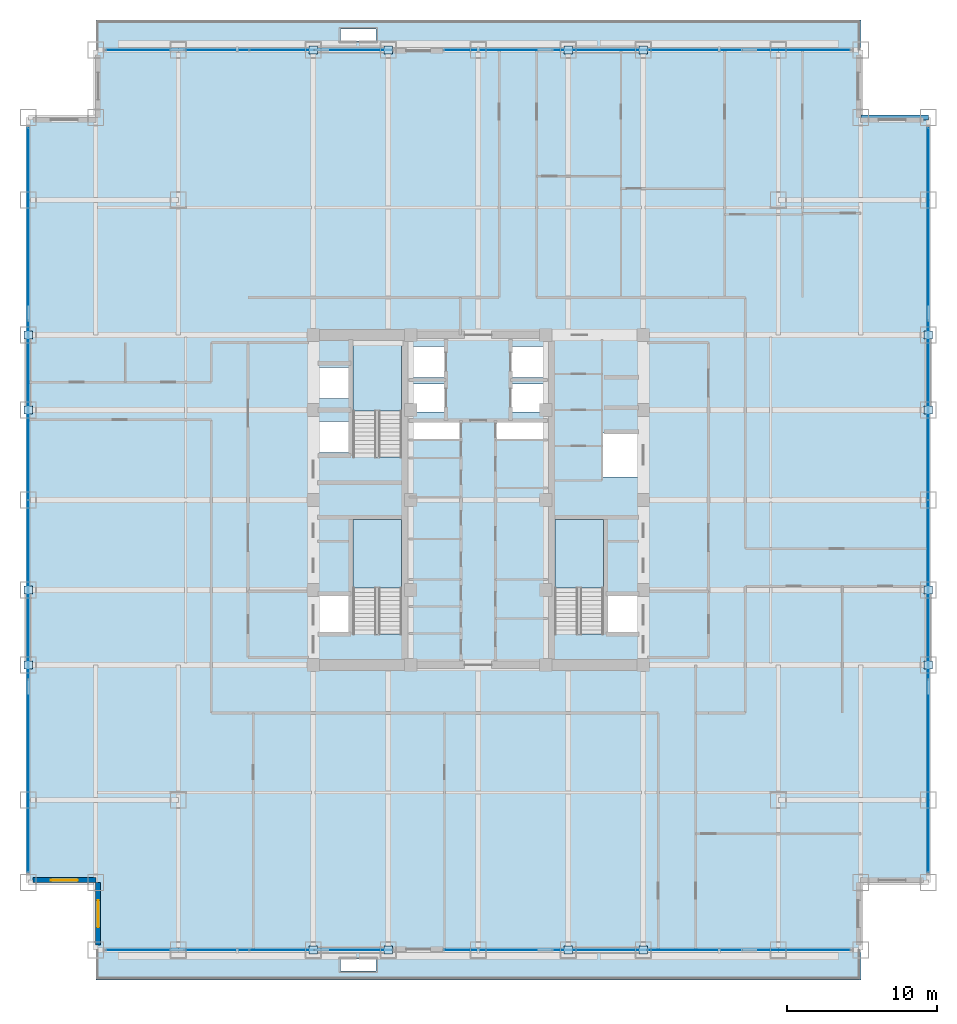
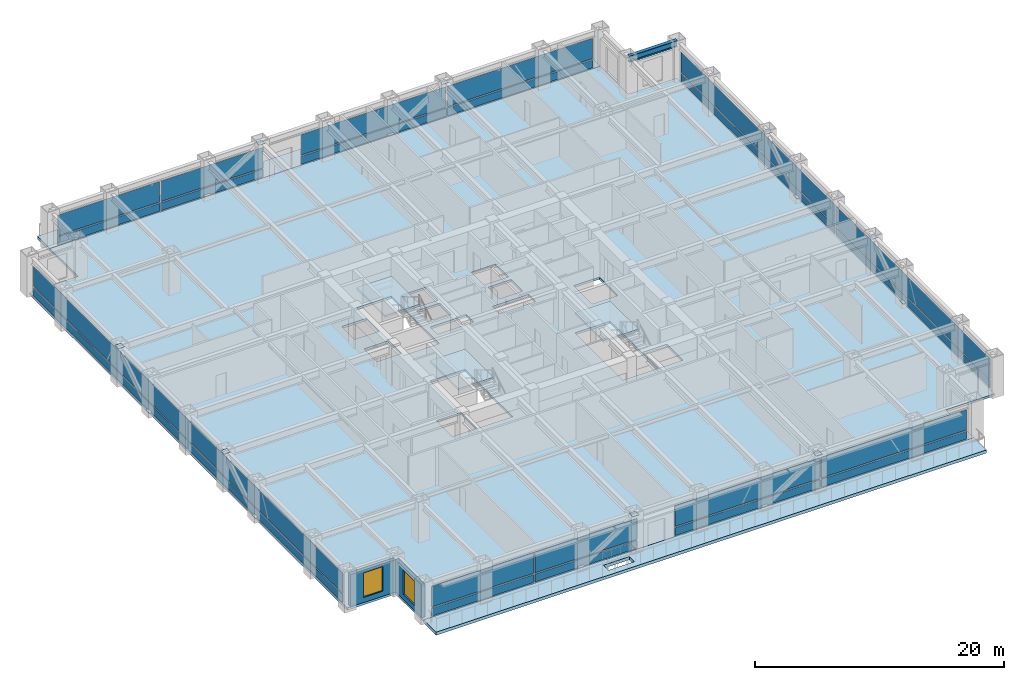
# One storey, part 25 of 35: 40 plates, 6 slabs, 2 walls, 2 windows, 1 beam, 2 openings, 9 elements without a shape of their own.
"""IFC4 building model written with IfcOpenShell, lengths in metres."""

from ifc_helpers import new_model, si_unit, direction, frame, frame_2d, origin, origin_2d, place, context, subcontext, project, spatial, polyline, rectangle, i_section, outline, extrude, source, transform, mapped, material, layer, layer_set, material_profile, profile_set, type_object, element, fill, aggregate, save


model = new_model("IFC4")

# Units and contexts
model_context = context("Model", 3, precision=1e-05, world=origin(), true_north=direction((0.0, 1.0)))
body_context = subcontext(model_context, "Body", "Model", "MODEL_VIEW")
ifc_project = project(units=[si_unit("LENGTHUNIT", "METRE"), si_unit("AREAUNIT", "SQUARE_METRE"), si_unit("VOLUMEUNIT", "CUBIC_METRE"), si_unit("PLANEANGLEUNIT", "RADIAN"), si_unit("MASSUNIT", "GRAM", prefix="KILO")], contexts=[model_context])

# Site, building, storey
site_placement = place(None, origin())
site = spatial("IfcSite", under=ifc_project, at=site_placement, CompositionType="ELEMENT")
building_placement = place(site_placement, origin())
building = spatial("IfcBuilding", under=site, at=building_placement, Name="Khorayat Bourse Tower", CompositionType="ELEMENT")
storey_placement = place(building_placement, frame((0.0, 0.0, 155.10009765625)))
storey = spatial("IfcBuildingStorey", under=building, at=storey_placement, Name="L35", CompositionType="ELEMENT", Elevation=155.10009765625)

# Beam
ifc_material_1 = material(Name="Steel ASTM A992 Grade 50", Category="steel")
ifc_material_profile = material_profile(ifc_material_1, i_section(OverallWidth=0.324951171875, OverallDepth=0.615966796875, WebThickness=0.013916015625, FlangeThickness=0.021484375, FilletRadius=0.01611328125, at=origin_2d()), Name="W610X174")
ifc_profile_set = profile_set([ifc_material_profile], Name="Steel ASTM A992 Grade 50")
beam_type = type_object("IfcBeamType", Name="BM-SPAN-610", PredefinedType="SPANDREL", material=ifc_profile_set)
shared_shape_1 = source(origin(), body_context, "Body", "SweptSolid", [
    extrude(i_section(OverallWidth=0.324951171875, OverallDepth=0.615966796875, WebThickness=0.013916015625, FlangeThickness=0.021484375, FilletRadius=0.01611328125, at=origin_2d()), origin(), (0.0, 0.0, 1.0), 4.5),
])
beam_placement = place(storey_placement, frame((25.5, 25.5, 3.471923828125), z_axis=(1.0, 0.0, 0.0), x_axis=(0.0, 1.0, 0.0)))
element("IfcBeam", 1, at=beam_placement, inside=storey, type_object=beam_type, Name="L35 BM-SPAN-610 BM-L35-SPN-042", PredefinedType="SPANDREL", context=body_context, shape_type="MappedRepresentation", body=[
    mapped(shared_shape_1, transform((0.0, 0.0, 0.0), scale=1.0)),
])

# Stair, slab
ifc_material_2 = material(Name="Concrete C40/50", Category="concrete")
stair_type = type_object("IfcStairType", Name="STR-CORE-1550", PredefinedType="HALF_TURN_STAIR", material=ifc_material_2)
stair_1_placement = place(storey_placement, origin())
stair_1 = element("IfcStair", 2, at=stair_1_placement, inside=storey, type_object=stair_type, Name="L35 Exit Stair ST-1", PredefinedType="HALF_TURN_STAIR")
ifc_layer_1 = layer(ifc_material_2, 0.199951171875)
ifc_layer_set_1 = layer_set([ifc_layer_1], Name="Concrete C40/50")
slab_type_1 = type_object("IfcSlabType", Name="SLB-LANDING-200", PredefinedType="LANDING", material=ifc_layer_set_1)
slab_1_placement = place(storey_placement, frame((0.0, 0.0, 1.7998046875)))
slab_1 = element("IfcSlab", 3, at=slab_1_placement, type_object=slab_type_1, Name="ST-1 landing 1", PredefinedType="LANDING", context=body_context, shape_type="SweptSolid", body=[
    extrude(outline(polyline([(-5.10009765625, -5.8701171875), (-5.10009765625, -1.300048828125), (-8.35009765625, -1.300048828125), (-8.35009765625, -5.8701171875), (-5.10009765625, -5.8701171875)])), origin(), (0.0, 0.0, 1.0), 0.2001953125),
])
aggregate(stair_1, [slab_1])

stair_2_placement = place(storey_placement, origin())
stair_2 = element("IfcStair", 4, at=stair_2_placement, inside=storey, type_object=stair_type, Name="L35 Exit Stair ST-2", PredefinedType="HALF_TURN_STAIR")
slab_2_placement = place(storey_placement, frame((0.0, 0.0, 1.7998046875)))
slab_2 = element("IfcSlab", 5, at=slab_2_placement, type_object=slab_type_1, Name="ST-2 landing 1", PredefinedType="LANDING", context=body_context, shape_type="SweptSolid", body=[
    extrude(outline(polyline([(-5.10009765625, 5.929931640625), (-5.10009765625, 10.5), (-8.35009765625, 10.5), (-8.35009765625, 5.929931640625), (-5.10009765625, 5.929931640625)])), origin(), (0.0, 0.0, 1.0), 0.2001953125),
])
aggregate(stair_2, [slab_2])

stair_3_placement = place(storey_placement, origin())
stair_3 = element("IfcStair", 6, at=stair_3_placement, inside=storey, type_object=stair_type, Name="L35 Exit Stair ST-3", PredefinedType="HALF_TURN_STAIR")
slab_3_placement = place(storey_placement, frame((0.0, 0.0, 1.7998046875)))
slab_3 = element("IfcSlab", 7, at=slab_3_placement, type_object=slab_type_1, Name="ST-3 landing 1", PredefinedType="LANDING", context=body_context, shape_type="SweptSolid", body=[
    extrude(outline(polyline([(8.35009765625, -5.8701171875), (8.35009765625, -1.300048828125), (5.10009765625, -1.300048828125), (5.10009765625, -5.8701171875), (8.35009765625, -5.8701171875)])), origin(), (0.0, 0.0, 1.0), 0.2001953125),
])
aggregate(stair_3, [slab_3])

# Slabs
ifc_layer_2 = layer(ifc_material_2, 0.219970703125)
ifc_layer_set_2 = layer_set([ifc_layer_2], Name="Concrete C40/50")
slab_type_2 = type_object("IfcSlabType", Name="SLB-OFFICE-220", PredefinedType="FLOOR", material=ifc_layer_set_2)
slab_4_placement = place(storey_placement, frame((0.0, 0.0, -0.22021484375)))
element("IfcSlab", 8, at=slab_4_placement, inside=storey, type_object=slab_type_2, Name="L35 Main Floor Slab", PredefinedType="FLOOR", context=body_context, shape_type="SweptSolid", body=[
    extrude(outline(polyline([(-25.5, -30.0), (25.5, -30.0), (25.5, -25.5), (30.0, -25.5), (30.0, 25.5), (25.5, 25.5), (25.5, 30.0), (-25.5, 30.0), (-25.5, 25.5), (-30.0, 25.5), (-30.0, -25.5), (-25.5, -25.5), (-25.5, -30.0)]), holes=[polyline([(-8.35009765625, -8.945068359375), (-5.10009765625, -8.945068359375), (-5.10009765625, -1.300048828125), (-8.35009765625, -1.300048828125), (-8.35009765625, -8.945068359375)]), polyline([(-8.35009765625, 2.85498046875), (-5.10009765625, 2.85498046875), (-5.10009765625, 10.5), (-8.35009765625, 10.5), (-8.35009765625, 2.85498046875)]), polyline([(5.10009765625, -8.945068359375), (8.35009765625, -8.945068359375), (8.35009765625, -1.300048828125), (5.10009765625, -1.300048828125), (5.10009765625, -8.945068359375)]), polyline([(-4.3798828125, 8.169921875), (-2.1201171875, 8.169921875), (-2.1201171875, 10.22998046875), (-4.3798828125, 10.22998046875), (-4.3798828125, 8.169921875)]), polyline([(2.1201171875, 8.169921875), (4.3798828125, 8.169921875), (4.3798828125, 10.22998046875), (2.1201171875, 10.22998046875), (2.1201171875, 8.169921875)]), polyline([(-4.3798828125, 5.8701171875), (-2.219970703125, 5.8701171875), (-2.219970703125, 7.72998046875), (-4.3798828125, 7.72998046875), (-4.3798828125, 5.8701171875)]), polyline([(2.219970703125, 5.8701171875), (4.3798828125, 5.8701171875), (4.3798828125, 7.72998046875), (2.219970703125, 7.72998046875), (2.219970703125, 5.8701171875)]), polyline([(-10.679931640625, 3.169921875), (-8.419921875, 3.169921875), (-8.419921875, 5.22998046875), (-10.679931640625, 5.22998046875), (-10.679931640625, 3.169921875)]), polyline([(-10.679931640625, 6.77001953125), (-8.419921875, 6.77001953125), (-8.419921875, 8.830078125), (-10.679931640625, 8.830078125), (-10.679931640625, 6.77001953125)]), polyline([(-10.679931640625, -8.929931640625), (-8.419921875, -8.929931640625), (-8.419921875, -6.3701171875), (-10.679931640625, -6.3701171875), (-10.679931640625, -8.929931640625)]), polyline([(8.419921875, -8.929931640625), (10.679931640625, -8.929931640625), (10.679931640625, -6.3701171875), (8.419921875, -6.3701171875), (8.419921875, -8.929931640625)]), polyline([(8.320068359375, 1.52001953125), (10.679931640625, 1.52001953125), (10.679931640625, 4.47998046875), (8.320068359375, 4.47998046875), (8.320068359375, 1.52001953125)]), polyline([(-4.56005859375, 4.080078125), (-1.18994140625, 4.080078125), (-1.18994140625, 5.219970703125), (-4.56005859375, 5.219970703125), (-4.56005859375, 4.080078125)]), polyline([(1.18994140625, 4.080078125), (4.56005859375, 4.080078125), (4.56005859375, 5.219970703125), (1.18994140625, 5.219970703125), (1.18994140625, 4.080078125)])]), origin(), (0.0, 0.0, 1.0), 0.22021484375),
])
ifc_layer_3 = layer(ifc_material_2, 0.300048828125)
ifc_layer_set_3 = layer_set([ifc_layer_3], Name="Concrete C40/50")
slab_type_3 = type_object("IfcSlabType", Name="SLB-TERR-300", PredefinedType="FLOOR", material=ifc_layer_set_3)
slab_5_placement = place(storey_placement, frame((0.0, 0.0, -0.300048828125)))
element("IfcSlab", 9, at=slab_5_placement, inside=storey, type_object=slab_type_3, Name="L35 Planted Garden Terrace Slab 01", PredefinedType="FLOOR", context=body_context, shape_type="SweptSolid", body=[
    extrude(outline(polyline([(-25.5, 30.0), (25.5, 30.0), (25.5, 32.0), (-25.5, 32.0), (-25.5, 30.0)]), holes=[polyline([(-9.199951171875, 30.60009765625), (-6.800048828125, 30.60009765625), (-6.800048828125, 31.39990234375), (-9.199951171875, 31.39990234375), (-9.199951171875, 30.60009765625)])]), origin(), (0.0, 0.0, 1.0), 0.300048828125),
])
slab_6_placement = place(storey_placement, frame((0.0, 0.0, -0.300048828125)))
element("IfcSlab", 10, at=slab_6_placement, inside=storey, type_object=slab_type_3, Name="L35 Planted Garden Terrace Slab 02", PredefinedType="FLOOR", context=body_context, shape_type="SweptSolid", body=[
    extrude(outline(polyline([(-25.5, -32.0), (25.5, -32.0), (25.5, -30.0), (-25.5, -30.0), (-25.5, -32.0)]), holes=[polyline([(-9.199951171875, -31.39990234375), (-6.800048828125, -31.39990234375), (-6.800048828125, -30.60009765625), (-9.199951171875, -30.60009765625), (-9.199951171875, -31.39990234375)])]), origin(), (0.0, 0.0, 1.0), 0.300048828125),
])

# Plates
ifc_material_3 = material(Name="Steel EN 10025-2 S355J2", Category="steel")
ifc_layer_4 = layer(ifc_material_3, 0.02490234375)
ifc_layer_set_4 = layer_set([ifc_layer_4], Name="Steel EN 10025-2 S355J2")
plate_type_1 = type_object("IfcPlateType", Name="PLT-ENDCAP-25", PredefinedType="SHEET", material=ifc_layer_set_4)
shared_shape_2 = source(origin(), body_context, "Body", "SweptSolid", [
    extrude(rectangle(XDim=0.56005859375, YDim=0.56005859375, at=origin_2d()), origin(), (0.0, 0.0, 1.0), 0.02490234375),
])
for number, where, z_axis, x_axis, name in (
    (11, (-11.0, -30.0, 0.237548828125), (0.0, 0.0, 1.0), (1.0, 0.0, 0.0), "L35 Perimeter Brace End Plate 001"),
    (12, (-6.0, -30.0, 3.517333984375), (0.0, 0.0, 1.0), (1.0, 0.0, 0.0), "L35 Perimeter Brace End Plate 002"),
    (13, (6.0, -30.0, 0.237548828125), (0.0, 0.0, 1.0), (1.0, 0.0, 0.0), "L35 Perimeter Brace End Plate 003"),
    (14, (11.0, -30.0, 3.517333984375), (0.0, 0.0, 1.0), (1.0, 0.0, 0.0), "L35 Perimeter Brace End Plate 004"),
    (15, (-11.0, 30.0, 0.237548828125), (0.0, 0.0, 1.0), (1.0, 0.0, 0.0), "L35 Perimeter Brace End Plate 005"),
    (16, (-6.0, 30.0, 3.517333984375), (0.0, 0.0, 1.0), (1.0, 0.0, 0.0), "L35 Perimeter Brace End Plate 006"),
    (17, (6.0, 30.0, 0.237548828125), (0.0, 0.0, 1.0), (1.0, 0.0, 0.0), "L35 Perimeter Brace End Plate 007"),
    (18, (11.0, 30.0, 3.517333984375), (0.0, 0.0, 1.0), (1.0, 0.0, 0.0), "L35 Perimeter Brace End Plate 008"),
    (19, (-30.0, -11.0, 0.237548828125), (0.0, 0.0, 1.0), (1.0, 0.0, 0.0), "L35 Perimeter Brace End Plate 009"),
    (20, (-30.0, -6.0, 3.517333984375), (0.0, 0.0, 1.0), (1.0, 0.0, 0.0), "L35 Perimeter Brace End Plate 010"),
    (21, (-30.0, 6.0, 0.237548828125), (0.0, 0.0, 1.0), (1.0, 0.0, 0.0), "L35 Perimeter Brace End Plate 011"),
    (22, (-30.0, 11.0, 3.517333984375), (0.0, 0.0, 1.0), (1.0, 0.0, 0.0), "L35 Perimeter Brace End Plate 012"),
    (23, (30.0, -11.0, 0.237548828125), (0.0, 0.0, 1.0), (1.0, 0.0, 0.0), "L35 Perimeter Brace End Plate 013"),
    (24, (30.0, -6.0, 3.517333984375), (0.0, 0.0, 1.0), (1.0, 0.0, 0.0), "L35 Perimeter Brace End Plate 014"),
    (25, (30.0, 6.0, 0.237548828125), (0.0, 0.0, 1.0), (1.0, 0.0, 0.0), "L35 Perimeter Brace End Plate 015"),
    (26, (30.0, 11.0, 3.517333984375), (0.0, 0.0, 1.0), (1.0, 0.0, 0.0), "L35 Perimeter Brace End Plate 016"),
):
    element("IfcPlate", number, at=place(storey_placement, frame(where, z_axis=z_axis, x_axis=x_axis)), inside=storey, type_object=plate_type_1, Name=name, PredefinedType="SHEET", context=body_context, shape_type="MappedRepresentation", body=[
        mapped(shared_shape_2, transform((0.0, 0.0, 0.0), scale=1.0)),
    ])

# Curtain wall, plates
ifc_material_4 = material(Name="Aluminium EN AW-6063 T6", Category="aluminium")
curtain_wall_type = type_object("IfcCurtainWallType", Name="CW-SYS-03", PredefinedType="NOTDEFINED", material=ifc_material_4)
curtain_wall_1_placement = place(storey_placement, origin())
curtain_wall_1 = element("IfcCurtainWall", 27, at=curtain_wall_1_placement, inside=storey, type_object=curtain_wall_type, Name="L35 Curtain Wall CW-L35-S1", PredefinedType="NOTDEFINED")
ifc_material_5 = material(Name="Honed desert limestone insulated spandrel", Category="masonry")
ifc_layer_5 = layer(ifc_material_5, 0.06494140625)
ifc_layer_set_5 = layer_set([ifc_layer_5], Name="Honed desert limestone insulated spandrel")
plate_type_2 = type_object("IfcPlateType", Name="CWP-SPAND-03", PredefinedType="CURTAIN_PANEL", material=ifc_layer_set_5)
shared_shape_3 = source(origin(), body_context, "Body", "SweptSolid", [
    extrude(rectangle(XDim=9.445068359375, YDim=0.06494140625, at=origin_2d()), origin(), (0.0, 0.0, 1.0), 0.77001953125),
])
plate_1_placement = place(storey_placement, frame((-20.0576171875, -30.0, 0.119873046875), z_axis=(0.0, 0.0, 1.0), x_axis=(1.0, 0.0, 0.0)))
plate_1 = element("IfcPlate", 28, at=plate_1_placement, type_object=plate_type_2, Name="CW-L35-S1 Spandrel Panel 1-1", PredefinedType="CURTAIN_PANEL", context=body_context, shape_type="MappedRepresentation", body=[
    mapped(shared_shape_3, transform((0.0, 0.0, 0.0), scale=1.0)),
])
plate_2_placement = place(storey_placement, frame((-10.492431640625, -30.0, 0.119873046875), z_axis=(0.0, 0.0, 1.0), x_axis=(1.0, 0.0, 0.0)))
plate_2 = element("IfcPlate", 29, at=plate_2_placement, type_object=plate_type_2, Name="CW-L35-S1 Spandrel Panel 2-1", PredefinedType="CURTAIN_PANEL", context=body_context, shape_type="MappedRepresentation", body=[
    mapped(shared_shape_3, transform((0.0, 0.0, 0.0), scale=1.0)),
])

curtain_wall_2_placement = place(storey_placement, origin())
curtain_wall_2 = element("IfcCurtainWall", 30, at=curtain_wall_2_placement, inside=storey, type_object=curtain_wall_type, Name="L35 Curtain Wall CW-L35-N1", PredefinedType="NOTDEFINED")
plate_3_placement = place(storey_placement, frame((-20.0576171875, 30.0, 0.119873046875), z_axis=(0.0, 0.0, 1.0), x_axis=(1.0, 0.0, 0.0)))
plate_3 = element("IfcPlate", 31, at=plate_3_placement, type_object=plate_type_2, Name="CW-L35-N1 Spandrel Panel 1-1", PredefinedType="CURTAIN_PANEL", context=body_context, shape_type="MappedRepresentation", body=[
    mapped(shared_shape_3, transform((0.0, 0.0, 0.0), scale=1.0)),
])
plate_4_placement = place(storey_placement, frame((-10.492431640625, 30.0, 0.119873046875), z_axis=(0.0, 0.0, 1.0), x_axis=(1.0, 0.0, 0.0)))
plate_4 = element("IfcPlate", 32, at=plate_4_placement, type_object=plate_type_2, Name="CW-L35-N1 Spandrel Panel 2-1", PredefinedType="CURTAIN_PANEL", context=body_context, shape_type="MappedRepresentation", body=[
    mapped(shared_shape_3, transform((0.0, 0.0, 0.0), scale=1.0)),
])

# Plate
ifc_material_6 = material(Name="Low-E solar-control laminated double glazing", Category="glass")
ifc_layer_6 = layer(ifc_material_6, 0.035888671875)
ifc_layer_set_6 = layer_set([ifc_layer_6], Name="Low-E solar-control laminated double glazing")
plate_type_3 = type_object("IfcPlateType", Name="CWP-VIS-01", PredefinedType="CURTAIN_PANEL", material=ifc_layer_set_6)
shared_shape_4 = source(origin(), body_context, "Body", "SweptSolid", [
    extrude(rectangle(XDim=9.445068359375, YDim=0.035888671875, at=origin_2d()), origin(), (0.0, 0.0, 1.0), 2.0),
])
plate_5_placement = place(storey_placement, frame((-20.0576171875, -30.0, 1.010009765625), z_axis=(0.0, 0.0, 1.0), x_axis=(1.0, 0.0, 0.0)))
plate_5 = element("IfcPlate", 33, at=plate_5_placement, type_object=plate_type_3, Name="CW-L35-S1 Vision Panel 1-2", PredefinedType="CURTAIN_PANEL", context=body_context, shape_type="MappedRepresentation", body=[
    mapped(shared_shape_4, transform((0.0, 0.0, 0.0), scale=1.0)),
])

plate_6_placement = place(storey_placement, frame((-10.492431640625, -30.0, 1.010009765625), z_axis=(0.0, 0.0, 1.0), x_axis=(1.0, 0.0, 0.0)))
plate_6 = element("IfcPlate", 34, at=plate_6_placement, type_object=plate_type_3, Name="CW-L35-S1 Vision Panel 2-2", PredefinedType="CURTAIN_PANEL", context=body_context, shape_type="MappedRepresentation", body=[
    mapped(shared_shape_4, transform((0.0, 0.0, 0.0), scale=1.0)),
])

aggregate(curtain_wall_1, [plate_1, plate_5, plate_2, plate_6])

plate_7_placement = place(storey_placement, frame((-20.0576171875, 30.0, 1.010009765625), z_axis=(0.0, 0.0, 1.0), x_axis=(1.0, 0.0, 0.0)))
plate_7 = element("IfcPlate", 35, at=plate_7_placement, type_object=plate_type_3, Name="CW-L35-N1 Vision Panel 1-2", PredefinedType="CURTAIN_PANEL", context=body_context, shape_type="MappedRepresentation", body=[
    mapped(shared_shape_4, transform((0.0, 0.0, 0.0), scale=1.0)),
])

plate_8_placement = place(storey_placement, frame((-10.492431640625, 30.0, 1.010009765625), z_axis=(0.0, 0.0, 1.0), x_axis=(1.0, 0.0, 0.0)))
plate_8 = element("IfcPlate", 36, at=plate_8_placement, type_object=plate_type_3, Name="CW-L35-N1 Vision Panel 2-2", PredefinedType="CURTAIN_PANEL", context=body_context, shape_type="MappedRepresentation", body=[
    mapped(shared_shape_4, transform((0.0, 0.0, 0.0), scale=1.0)),
])

aggregate(curtain_wall_2, [plate_3, plate_7, plate_4, plate_8])

# Curtain wall, plates
curtain_wall_3_placement = place(storey_placement, origin())
curtain_wall_3 = element("IfcCurtainWall", 37, at=curtain_wall_3_placement, inside=storey, type_object=curtain_wall_type, Name="L35 Curtain Wall CW-L35-S2", PredefinedType="NOTDEFINED")
shared_shape_5 = source(origin(), body_context, "Body", "SweptSolid", [
    extrude(rectangle(XDim=13.445068359375, YDim=0.06494140625, at=origin_2d()), origin(), (0.0, 0.0, 1.0), 0.77001953125),
])
plate_9_placement = place(storey_placement, frame((4.492431640625, -30.0, 0.119873046875), z_axis=(0.0, 0.0, 1.0), x_axis=(1.0, 0.0, 0.0)))
plate_9 = element("IfcPlate", 38, at=plate_9_placement, type_object=plate_type_2, Name="CW-L35-S2 Spandrel Panel 1-1", PredefinedType="CURTAIN_PANEL", context=body_context, shape_type="MappedRepresentation", body=[
    mapped(shared_shape_5, transform((0.0, 0.0, 0.0), scale=1.0)),
])
plate_10_placement = place(storey_placement, frame((18.0576171875, -30.0, 0.119873046875), z_axis=(0.0, 0.0, 1.0), x_axis=(1.0, 0.0, 0.0)))
plate_10 = element("IfcPlate", 39, at=plate_10_placement, type_object=plate_type_2, Name="CW-L35-S2 Spandrel Panel 2-1", PredefinedType="CURTAIN_PANEL", context=body_context, shape_type="MappedRepresentation", body=[
    mapped(shared_shape_5, transform((0.0, 0.0, 0.0), scale=1.0)),
])

curtain_wall_4_placement = place(storey_placement, origin())
curtain_wall_4 = element("IfcCurtainWall", 40, at=curtain_wall_4_placement, inside=storey, type_object=curtain_wall_type, Name="L35 Curtain Wall CW-L35-N2", PredefinedType="NOTDEFINED")
plate_11_placement = place(storey_placement, frame((4.492431640625, 30.0, 0.119873046875), z_axis=(0.0, 0.0, 1.0), x_axis=(1.0, 0.0, 0.0)))
plate_11 = element("IfcPlate", 41, at=plate_11_placement, type_object=plate_type_2, Name="CW-L35-N2 Spandrel Panel 1-1", PredefinedType="CURTAIN_PANEL", context=body_context, shape_type="MappedRepresentation", body=[
    mapped(shared_shape_5, transform((0.0, 0.0, 0.0), scale=1.0)),
])
plate_12_placement = place(storey_placement, frame((18.0576171875, 30.0, 0.119873046875), z_axis=(0.0, 0.0, 1.0), x_axis=(1.0, 0.0, 0.0)))
plate_12 = element("IfcPlate", 42, at=plate_12_placement, type_object=plate_type_2, Name="CW-L35-N2 Spandrel Panel 2-1", PredefinedType="CURTAIN_PANEL", context=body_context, shape_type="MappedRepresentation", body=[
    mapped(shared_shape_5, transform((0.0, 0.0, 0.0), scale=1.0)),
])

# Plate
shared_shape_6 = source(origin(), body_context, "Body", "SweptSolid", [
    extrude(rectangle(XDim=13.445068359375, YDim=0.035888671875, at=origin_2d()), origin(), (0.0, 0.0, 1.0), 2.0),
])
plate_13_placement = place(storey_placement, frame((4.492431640625, -30.0, 1.010009765625), z_axis=(0.0, 0.0, 1.0), x_axis=(1.0, 0.0, 0.0)))
plate_13 = element("IfcPlate", 43, at=plate_13_placement, type_object=plate_type_3, Name="CW-L35-S2 Vision Panel 1-2", PredefinedType="CURTAIN_PANEL", context=body_context, shape_type="MappedRepresentation", body=[
    mapped(shared_shape_6, transform((0.0, 0.0, 0.0), scale=1.0)),
])

plate_14_placement = place(storey_placement, frame((18.0576171875, -30.0, 1.010009765625), z_axis=(0.0, 0.0, 1.0), x_axis=(1.0, 0.0, 0.0)))
plate_14 = element("IfcPlate", 44, at=plate_14_placement, type_object=plate_type_3, Name="CW-L35-S2 Vision Panel 2-2", PredefinedType="CURTAIN_PANEL", context=body_context, shape_type="MappedRepresentation", body=[
    mapped(shared_shape_6, transform((0.0, 0.0, 0.0), scale=1.0)),
])

aggregate(curtain_wall_3, [plate_9, plate_13, plate_10, plate_14])

plate_15_placement = place(storey_placement, frame((4.492431640625, 30.0, 1.010009765625), z_axis=(0.0, 0.0, 1.0), x_axis=(1.0, 0.0, 0.0)))
plate_15 = element("IfcPlate", 45, at=plate_15_placement, type_object=plate_type_3, Name="CW-L35-N2 Vision Panel 1-2", PredefinedType="CURTAIN_PANEL", context=body_context, shape_type="MappedRepresentation", body=[
    mapped(shared_shape_6, transform((0.0, 0.0, 0.0), scale=1.0)),
])

plate_16_placement = place(storey_placement, frame((18.0576171875, 30.0, 1.010009765625), z_axis=(0.0, 0.0, 1.0), x_axis=(1.0, 0.0, 0.0)))
plate_16 = element("IfcPlate", 46, at=plate_16_placement, type_object=plate_type_3, Name="CW-L35-N2 Vision Panel 2-2", PredefinedType="CURTAIN_PANEL", context=body_context, shape_type="MappedRepresentation", body=[
    mapped(shared_shape_6, transform((0.0, 0.0, 0.0), scale=1.0)),
])

aggregate(curtain_wall_4, [plate_11, plate_15, plate_12, plate_16])

# Curtain wall, plates
curtain_wall_5_placement = place(storey_placement, origin())
curtain_wall_5 = element("IfcCurtainWall", 47, at=curtain_wall_5_placement, inside=storey, type_object=curtain_wall_type, Name="L35 Curtain Wall CW-L35-W1", PredefinedType="NOTDEFINED")
shared_shape_7 = source(origin(), body_context, "Body", "SweptSolid", [
    extrude(rectangle(XDim=24.719970703125, YDim=0.06494140625, at=origin_2d()), origin(), (0.0, 0.0, 1.0), 0.77001953125),
])
plate_17_placement = place(storey_placement, frame((-30.0, -12.419921875, 0.119873046875), z_axis=(0.0, 0.0, 1.0), x_axis=(0.0, 1.0, 0.0)))
plate_17 = element("IfcPlate", 48, at=plate_17_placement, type_object=plate_type_2, Name="CW-L35-W1 Spandrel Panel 1-1", PredefinedType="CURTAIN_PANEL", context=body_context, shape_type="MappedRepresentation", body=[
    mapped(shared_shape_7, transform((0.0, 0.0, 0.0), scale=1.0)),
])
plate_18_placement = place(storey_placement, frame((-30.0, 12.419921875, 0.119873046875), z_axis=(0.0, 0.0, 1.0), x_axis=(0.0, 1.0, 0.0)))
plate_18 = element("IfcPlate", 49, at=plate_18_placement, type_object=plate_type_2, Name="CW-L35-W1 Spandrel Panel 2-1", PredefinedType="CURTAIN_PANEL", context=body_context, shape_type="MappedRepresentation", body=[
    mapped(shared_shape_7, transform((0.0, 0.0, 0.0), scale=1.0)),
])

curtain_wall_6_placement = place(storey_placement, origin())
curtain_wall_6 = element("IfcCurtainWall", 50, at=curtain_wall_6_placement, inside=storey, type_object=curtain_wall_type, Name="L35 Curtain Wall CW-L35-E1", PredefinedType="NOTDEFINED")
plate_19_placement = place(storey_placement, frame((30.0, -12.419921875, 0.119873046875), z_axis=(0.0, 0.0, 1.0), x_axis=(0.0, 1.0, 0.0)))
plate_19 = element("IfcPlate", 51, at=plate_19_placement, type_object=plate_type_2, Name="CW-L35-E1 Spandrel Panel 1-1", PredefinedType="CURTAIN_PANEL", context=body_context, shape_type="MappedRepresentation", body=[
    mapped(shared_shape_7, transform((0.0, 0.0, 0.0), scale=1.0)),
])
plate_20_placement = place(storey_placement, frame((30.0, 12.419921875, 0.119873046875), z_axis=(0.0, 0.0, 1.0), x_axis=(0.0, 1.0, 0.0)))
plate_20 = element("IfcPlate", 52, at=plate_20_placement, type_object=plate_type_2, Name="CW-L35-E1 Spandrel Panel 2-1", PredefinedType="CURTAIN_PANEL", context=body_context, shape_type="MappedRepresentation", body=[
    mapped(shared_shape_7, transform((0.0, 0.0, 0.0), scale=1.0)),
])

# Plate
shared_shape_8 = source(origin(), body_context, "Body", "SweptSolid", [
    extrude(rectangle(XDim=24.719970703125, YDim=0.035888671875, at=origin_2d()), origin(), (0.0, 0.0, 1.0), 2.0),
])
plate_21_placement = place(storey_placement, frame((-30.0, -12.419921875, 1.010009765625), z_axis=(0.0, 0.0, 1.0), x_axis=(0.0, 1.0, 0.0)))
plate_21 = element("IfcPlate", 53, at=plate_21_placement, type_object=plate_type_3, Name="CW-L35-W1 Vision Panel 1-2", PredefinedType="CURTAIN_PANEL", context=body_context, shape_type="MappedRepresentation", body=[
    mapped(shared_shape_8, transform((0.0, 0.0, 0.0), scale=1.0)),
])

plate_22_placement = place(storey_placement, frame((-30.0, 12.419921875, 1.010009765625), z_axis=(0.0, 0.0, 1.0), x_axis=(0.0, 1.0, 0.0)))
plate_22 = element("IfcPlate", 54, at=plate_22_placement, type_object=plate_type_3, Name="CW-L35-W1 Vision Panel 2-2", PredefinedType="CURTAIN_PANEL", context=body_context, shape_type="MappedRepresentation", body=[
    mapped(shared_shape_8, transform((0.0, 0.0, 0.0), scale=1.0)),
])

aggregate(curtain_wall_5, [plate_17, plate_21, plate_18, plate_22])

plate_23_placement = place(storey_placement, frame((30.0, -12.419921875, 1.010009765625), z_axis=(0.0, 0.0, 1.0), x_axis=(0.0, 1.0, 0.0)))
plate_23 = element("IfcPlate", 55, at=plate_23_placement, type_object=plate_type_3, Name="CW-L35-E1 Vision Panel 1-2", PredefinedType="CURTAIN_PANEL", context=body_context, shape_type="MappedRepresentation", body=[
    mapped(shared_shape_8, transform((0.0, 0.0, 0.0), scale=1.0)),
])

plate_24_placement = place(storey_placement, frame((30.0, 12.419921875, 1.010009765625), z_axis=(0.0, 0.0, 1.0), x_axis=(0.0, 1.0, 0.0)))
plate_24 = element("IfcPlate", 56, at=plate_24_placement, type_object=plate_type_3, Name="CW-L35-E1 Vision Panel 2-2", PredefinedType="CURTAIN_PANEL", context=body_context, shape_type="MappedRepresentation", body=[
    mapped(shared_shape_8, transform((0.0, 0.0, 0.0), scale=1.0)),
])

aggregate(curtain_wall_6, [plate_19, plate_23, plate_20, plate_24])

# Wall, opening, window
ifc_material_7 = material(Name="Precast concrete C45/55", Category="concrete")
ifc_layer_7 = layer(ifc_material_7, 0.320068359375)
ifc_layer_set_7 = layer_set([ifc_layer_7], Name="Precast concrete C45/55")
wall_type = type_object("IfcWallType", Name="WAL-EXT-STONE-320", PredefinedType="STANDARD", material=ifc_layer_set_7)
shared_shape_9 = source(origin(), body_context, "Body", "SweptSolid", [
    extrude(rectangle(XDim=4.179931640625, YDim=0.320068359375, at=frame_2d((2.08984375, 0.0))), origin(), (0.0, 0.0, 1.0), 3.163818359375),
])
wall_1_placement = place(storey_placement, frame((-25.5, -25.340087890625, 0.0), z_axis=(0.0, 0.0, 1.0), x_axis=(-1.0, 0.0, 0.0)))
wall_1 = element("IfcWall", 57, at=wall_1_placement, inside=storey, type_object=wall_type, Name="L35 Re-Entrant Notch Limestone Wall SW-H", PredefinedType="STANDARD", context=body_context, shape_type="MappedRepresentation", body=[
    mapped(shared_shape_9, transform((0.0, 0.0, 0.0), scale=1.0)),
])
shared_shape_10 = source(origin(), body_context, "Body", "SweptSolid", [
    extrude(rectangle(XDim=1.800048828125, YDim=2.39990234375, at=frame_2d((0.89990234375, 1.199951171875))), frame((0.0, 0.169921875, 0.0), z_axis=(0.0, -1.0, 0.0), x_axis=(1.0, 0.0, 0.0)), (0.0, 0.0, 1.0), 0.340087890625),
])
opening_1_placement = place(wall_1_placement, frame((1.18994140625, 0.0, 0.5)))
opening_1 = element("IfcOpeningElement", 58, at=opening_1_placement, cuts=wall_1, Name="Opening WN-04", PredefinedType="OPENING", context=body_context, shape_type="MappedRepresentation", body=[
    mapped(shared_shape_10, transform((0.0, 0.0, 0.0), scale=1.0)),
])
ifc_material_8 = material(Name="Low-E acoustic laminated double glazing", Category="glass")
window_type = type_object("IfcWindowType", Name="WIN-NOTCH-1800x2400", PartitioningType="SINGLE_PANEL", PredefinedType="WINDOW", material=ifc_material_8)
shared_shape_11 = source(origin(), body_context, "Body", "SweptSolid", [
    extrude(rectangle(XDim=1.800048828125, YDim=2.39990234375, at=frame_2d((0.89990234375, 1.199951171875))), frame((0.0, 0.030029296875, 0.0), z_axis=(0.0, -1.0, 0.0), x_axis=(1.0, 0.0, 0.0)), (0.0, 0.0, 1.0), 0.06005859375),
])
window_1_placement = place(opening_1_placement, origin())
window_1 = element("IfcWindow", 59, at=window_1_placement, inside=storey, type_object=window_type, Name="L35 Facade Window 1", OverallHeight=2.39990234375, OverallWidth=1.800048828125, PartitioningType="SINGLE_PANEL", PredefinedType="WINDOW", context=body_context, shape_type="MappedRepresentation", body=[
    mapped(shared_shape_11, transform((0.0, 0.0, 0.0), scale=1.0)),
])
fill(opening_1, window_1)

wall_2_placement = place(storey_placement, frame((-25.340087890625, -29.679931640625, 0.0), z_axis=(0.0, 0.0, 1.0), x_axis=(0.0, 1.0, 0.0)))
wall_2 = element("IfcWall", 60, at=wall_2_placement, inside=storey, type_object=wall_type, Name="L35 Re-Entrant Notch Limestone Wall SW-V", PredefinedType="STANDARD", context=body_context, shape_type="MappedRepresentation", body=[
    mapped(shared_shape_9, transform((0.0, 0.0, 0.0), scale=1.0)),
])
opening_2_placement = place(wall_2_placement, frame((1.18994140625, 0.0, 0.5)))
opening_2 = element("IfcOpeningElement", 61, at=opening_2_placement, cuts=wall_2, Name="Opening WN-04", PredefinedType="OPENING", context=body_context, shape_type="MappedRepresentation", body=[
    mapped(shared_shape_10, transform((0.0, 0.0, 0.0), scale=1.0)),
])
window_2_placement = place(opening_2_placement, origin())
window_2 = element("IfcWindow", 62, at=window_2_placement, inside=storey, type_object=window_type, Name="L35 Facade Window 1", OverallHeight=2.39990234375, OverallWidth=1.800048828125, PartitioningType="SINGLE_PANEL", PredefinedType="WINDOW", context=body_context, shape_type="MappedRepresentation", body=[
    mapped(shared_shape_11, transform((0.0, 0.0, 0.0), scale=1.0)),
])
fill(opening_2, window_2)

save(model, "model.ifc")
